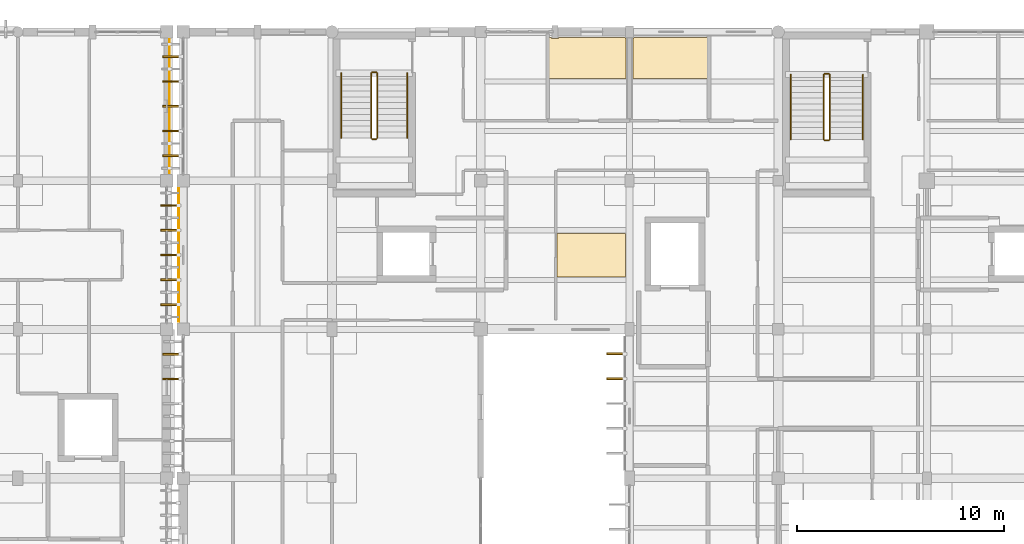
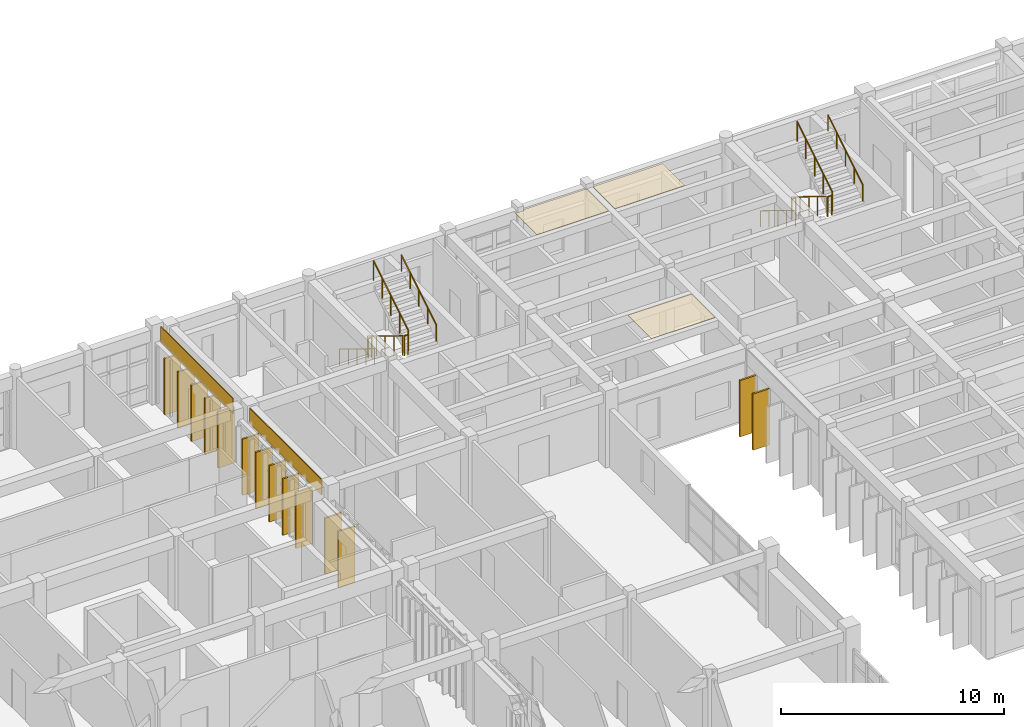
# One storey, part 52 of 55: 14 shading devices, 12 railings, 5 coverings.
"""IFC4 building model written with IfcOpenShell, lengths in metres."""

from ifc_helpers import new_model, si_unit, direction, frame, origin, origin_2d, place, context, subcontext, project, spatial, polyline, rectangle, circle, outline, extrude, material, layer, layer_set, material_profile, profile_set, type_object, element, save


model = new_model("IFC4")

# Units and contexts
model_context = context("Model", 3, precision=1e-05, world=origin(), true_north=direction((0.0, 1.0)))
body_context = subcontext(model_context, "Body", "Model", "MODEL_VIEW")
ifc_project = project(units=[si_unit("LENGTHUNIT", "METRE"), si_unit("AREAUNIT", "SQUARE_METRE"), si_unit("VOLUMEUNIT", "CUBIC_METRE"), si_unit("PLANEANGLEUNIT", "RADIAN"), si_unit("MASSUNIT", "GRAM", prefix="KILO")], contexts=[model_context])

# Site, building, storey
site_placement = place(None, origin())
site = spatial("IfcSite", under=ifc_project, at=site_placement, CompositionType="ELEMENT")
building_placement = place(site_placement, origin())
building = spatial("IfcBuilding", under=site, at=building_placement, Name="Steenspoor Specialist Clinic", CompositionType="ELEMENT")
storey_placement = place(building_placement, frame((0.0, 0.0, 13.199951171875)))
storey = spatial("IfcBuildingStorey", under=building, at=storey_placement, Name="L03", CompositionType="ELEMENT", Elevation=13.199951171875)

# Coverings
ifc_material_1 = material(Name="Washable acoustic mineral ceiling board", Category="gypsum")
ifc_layer_1 = layer(ifc_material_1, 0.02490234375)
ifc_layer_set_1 = layer_set([ifc_layer_1], Name="Washable acoustic mineral ceiling board")
covering_type_1 = type_object("IfcCoveringType", Name="COV-CEIL-ACOUSTIC", PredefinedType="CEILING", material=ifc_layer_set_1)
covering_1_placement = place(storey_placement, frame((0.0, 0.0, 3.925048828125)))
element("IfcCovering", 1, at=covering_1_placement, inside=storey, type_object=covering_type_1, Name="Acoustic Clinical Ceiling 172", PredefinedType="CEILING", context=body_context, shape_type="SweptSolid", body=[
    extrude(outline(polyline([(70.4951171875, 98.60009765625), (73.804931640625, 98.60009765625), (73.804931640625, 96.489990234375), (70.4951171875, 96.489990234375), (70.4951171875, 98.60009765625)])), origin(), (0.0, 0.0, 1.0), 0.02490234375),
])
covering_2_placement = place(storey_placement, frame((0.0, 0.0, 3.925048828125)))
element("IfcCovering", 2, at=covering_2_placement, inside=storey, type_object=covering_type_1, Name="Acoustic Clinical Ceiling 174", PredefinedType="CEILING", context=body_context, shape_type="SweptSolid", body=[
    extrude(outline(polyline([(70.235107421875, 108.090087890625), (70.235107421875, 108.02490234375), (70.56494140625, 108.02490234375), (70.56494140625, 108.090087890625), (73.784912109375, 108.090087890625), (73.784912109375, 108.06005859375), (73.830078125, 108.06005859375), (73.830078125, 106.090087890625), (70.114990234375, 106.090087890625), (70.114990234375, 108.090087890625), (70.235107421875, 108.090087890625)])), origin(), (0.0, 0.0, 1.0), 0.02490234375),
])
covering_3_placement = place(storey_placement, frame((0.0, 0.0, 3.925048828125)))
element("IfcCovering", 3, at=covering_3_placement, inside=storey, type_object=covering_type_1, Name="Acoustic Clinical Ceiling 175", PredefinedType="CEILING", context=body_context, shape_type="SweptSolid", body=[
    extrude(outline(polyline([(77.784912109375, 108.090087890625), (77.784912109375, 106.10009765625), (74.169921875, 106.10009765625), (74.169921875, 108.06005859375), (74.215087890625, 108.06005859375), (74.215087890625, 108.090087890625), (77.784912109375, 108.090087890625)])), origin(), (0.0, 0.0, 1.0), 0.02490234375),
])
ifc_material_2 = material(Name="Glazed ceramic relief spandrel cladding", Category="masonry")
ifc_layer_2 = layer(ifc_material_2, 0.034912109375)
ifc_layer_set_2 = layer_set([ifc_layer_2], Name="Glazed ceramic relief spandrel cladding")
covering_type_2 = type_object("IfcCoveringType", Name="COV-CLAD-CERAMIC", PredefinedType="CLADDING", material=ifc_layer_set_2)
covering_4_placement = place(storey_placement, frame((52.18505859375, 97.550048828125, 3.115234375), z_axis=(0.0, 0.0, 1.0), x_axis=(0.0, 1.0, 0.0)))
element("IfcCovering", 4, at=covering_4_placement, inside=storey, type_object=covering_type_2, Name="Spandrel Cladding 48", PredefinedType="CLADDING", context=body_context, shape_type="SweptSolid", body=[
    extrude(rectangle(XDim=6.47998046875, YDim=0.0400390625, at=origin_2d()), origin(), (0.0, 0.0, 1.0), 0.840087890625),
])
ifc_material_3 = material(Name="Glulam GL28h timber screen louvre cladding", Category="wood")
ifc_layer_3 = layer(ifc_material_3, 0.044921875)
ifc_layer_set_3 = layer_set([ifc_layer_3], Name="Glulam GL28h timber screen louvre cladding")
covering_type_3 = type_object("IfcCoveringType", Name="COV-CLAD-TIMBER", PredefinedType="CLADDING", material=ifc_layer_set_3)
covering_5_placement = place(storey_placement, frame((51.739990234375, 104.75, 3.365234375), z_axis=(0.0, 0.0, 1.0), x_axis=(0.0, -1.0, 0.0)))
element("IfcCovering", 5, at=covering_5_placement, inside=storey, type_object=covering_type_3, Name="Spandrel Cladding 77", PredefinedType="CLADDING", context=body_context, shape_type="SweptSolid", body=[
    extrude(rectangle(XDim=6.47998046875, YDim=0.0400390625, at=origin_2d()), origin(), (0.0, 0.0, 1.0), 0.840087890625),
])

# Railings
ifc_material_4 = material(Name="Painted architectural steel balustrade", Category="steel")
railing_type_1 = type_object("IfcRailingType", Name="RAIL-GUARD-1100", PredefinedType="GUARDRAIL", material=ifc_material_4)
railing_1_placement = place(storey_placement, frame((61.5, 106.35009765625, 0.175048828125)))
element("IfcRailing", 6, at=railing_1_placement, inside=storey, type_object=railing_type_1, Name="L03 ST-V4A stair guard 1", PredefinedType="GUARDRAIL", context=body_context, shape_type="SweptSolid", body=[
    extrude(circle(Radius=0.02392578125, at=origin_2d()), frame((0.0, 0.0, 1.076171875), z_axis=(0.0, -0.852166034122, 0.523271488128), x_axis=(1.0, 0.0, 0.0)), (0.0, 0.0, 1.0), 3.678955078125),
    extrude(circle(Radius=0.02099609375, at=origin_2d()), origin(), (0.0, 0.0, 1.0), 1.052001953125),
    extrude(circle(Radius=0.02099609375, at=origin_2d()), frame((0.0, -0.78369140625, 0.481201171875)), (0.0, 0.0, 1.0), 1.052001953125),
    extrude(circle(Radius=0.02099609375, at=origin_2d()), frame((0.0, -1.5673828125, 0.96240234375)), (0.0, 0.0, 1.0), 1.052001953125),
    extrude(circle(Radius=0.02099609375, at=origin_2d()), frame((0.0, -2.351318359375, 1.44384765625)), (0.0, 0.0, 1.0), 1.052001953125),
    extrude(circle(Radius=0.02099609375, at=origin_2d()), frame((0.0, -3.135009765625, 1.925048828125)), (0.0, 0.0, 1.0), 1.052001953125),
])
railing_2_placement = place(storey_placement, frame((61.550048828125, 103.1650390625, 2.10009765625)))
element("IfcRailing", 7, at=railing_2_placement, inside=storey, type_object=railing_type_1, Name="L03 ST-V4A stair guard 2", PredefinedType="GUARDRAIL", context=body_context, shape_type="SweptSolid", body=[
    extrude(circle(Radius=0.02392578125, at=origin_2d()), frame((0.0, 0.0, 1.076171875), z_axis=(1.0, 0.0, 0.0), x_axis=(0.0, 1.0, 0.0)), (0.0, 0.0, 1.0), 0.199951171875),
    extrude(circle(Radius=0.02099609375, at=origin_2d()), origin(), (0.0, 0.0, 1.0), 1.052001953125),
    extrude(circle(Radius=0.02099609375, at=origin_2d()), frame((0.199951171875, 0.0, 0.0)), (0.0, 0.0, 1.0), 1.052001953125),
])
railing_3_placement = place(storey_placement, frame((61.800048828125, 103.215087890625, 2.275146484375)))
element("IfcRailing", 8, at=railing_3_placement, inside=storey, type_object=railing_type_1, Name="L03 ST-V4A stair guard 3", PredefinedType="GUARDRAIL", context=body_context, shape_type="SweptSolid", body=[
    extrude(circle(Radius=0.02392578125, at=origin_2d()), frame((0.0, 0.0, 1.076171875), z_axis=(0.0, 0.852195625947, 0.523223293744), x_axis=(-1.0, 0.0, 0.0)), (0.0, 0.0, 1.0), 3.6787109375),
    extrude(circle(Radius=0.02099609375, at=origin_2d()), origin(), (0.0, 0.0, 1.0), 1.052001953125),
    extrude(circle(Radius=0.02099609375, at=origin_2d()), frame((0.0, 0.78369140625, 0.481201171875)), (0.0, 0.0, 1.0), 1.052001953125),
    extrude(circle(Radius=0.02099609375, at=origin_2d()), frame((0.0, 1.5673828125, 0.96240234375)), (0.0, 0.0, 1.0), 1.052001953125),
    extrude(circle(Radius=0.02099609375, at=origin_2d()), frame((0.0, 2.351318359375, 1.443603515625)), (0.0, 0.0, 1.0), 1.052001953125),
    extrude(circle(Radius=0.02099609375, at=origin_2d()), frame((0.0, 3.135009765625, 1.9248046875)), (0.0, 0.0, 1.0), 1.052001953125),
])
railing_4_placement = place(storey_placement, frame((61.550048828125, 106.39990234375, 0.0)))
element("IfcRailing", 9, at=railing_4_placement, inside=storey, type_object=railing_type_1, Name="L03 ST-V4A stair guard 4", PredefinedType="GUARDRAIL", context=body_context, shape_type="SweptSolid", body=[
    extrude(circle(Radius=0.02392578125, at=origin_2d()), frame((0.0, 0.0, 1.076171875), z_axis=(1.0, 0.0, 0.0), x_axis=(0.0, 1.0, 0.0)), (0.0, 0.0, 1.0), 0.199951171875),
    extrude(circle(Radius=0.02099609375, at=origin_2d()), origin(), (0.0, 0.0, 1.0), 1.052001953125),
    extrude(circle(Radius=0.02099609375, at=origin_2d()), frame((0.199951171875, 0.0, 0.0)), (0.0, 0.0, 1.0), 1.052001953125),
])
railing_5_placement = place(storey_placement, frame((83.39990234375, 106.280029296875, 0.175048828125)))
element("IfcRailing", 10, at=railing_5_placement, inside=storey, type_object=railing_type_1, Name="L03 ST-V4C stair guard 1", PredefinedType="GUARDRAIL", context=body_context, shape_type="SweptSolid", body=[
    extrude(circle(Radius=0.02392578125, at=origin_2d()), frame((0.0, 0.0, 1.076171875), z_axis=(0.0, -0.852166034122, 0.523271488128), x_axis=(1.0, 0.0, 0.0)), (0.0, 0.0, 1.0), 3.678955078125),
    extrude(circle(Radius=0.02099609375, at=origin_2d()), origin(), (0.0, 0.0, 1.0), 1.052001953125),
    extrude(circle(Radius=0.02099609375, at=origin_2d()), frame((0.0, -0.78369140625, 0.481201171875)), (0.0, 0.0, 1.0), 1.052001953125),
    extrude(circle(Radius=0.02099609375, at=origin_2d()), frame((0.0, -1.5673828125, 0.96240234375)), (0.0, 0.0, 1.0), 1.052001953125),
    extrude(circle(Radius=0.02099609375, at=origin_2d()), frame((0.0, -2.351318359375, 1.44384765625)), (0.0, 0.0, 1.0), 1.052001953125),
    extrude(circle(Radius=0.02099609375, at=origin_2d()), frame((0.0, -3.135009765625, 1.925048828125)), (0.0, 0.0, 1.0), 1.052001953125),
])
railing_6_placement = place(storey_placement, frame((83.449951171875, 103.094970703125, 2.10009765625)))
element("IfcRailing", 11, at=railing_6_placement, inside=storey, type_object=railing_type_1, Name="L03 ST-V4C stair guard 2", PredefinedType="GUARDRAIL", context=body_context, shape_type="SweptSolid", body=[
    extrude(circle(Radius=0.02392578125, at=origin_2d()), frame((0.0, 0.0, 1.076171875), z_axis=(1.0, 0.0, 0.0), x_axis=(0.0, 1.0, 0.0)), (0.0, 0.0, 1.0), 0.199951171875),
    extrude(circle(Radius=0.02099609375, at=origin_2d()), origin(), (0.0, 0.0, 1.0), 1.052001953125),
    extrude(circle(Radius=0.02099609375, at=origin_2d()), frame((0.199951171875, 0.0, 0.0)), (0.0, 0.0, 1.0), 1.052001953125),
])
railing_7_placement = place(storey_placement, frame((83.699951171875, 103.14501953125, 2.275146484375)))
element("IfcRailing", 12, at=railing_7_placement, inside=storey, type_object=railing_type_1, Name="L03 ST-V4C stair guard 3", PredefinedType="GUARDRAIL", context=body_context, shape_type="SweptSolid", body=[
    extrude(circle(Radius=0.02392578125, at=origin_2d()), frame((0.0, 0.0, 1.076171875), z_axis=(0.0, 0.852195625947, 0.523223293744), x_axis=(-1.0, 0.0, 0.0)), (0.0, 0.0, 1.0), 3.6787109375),
    extrude(circle(Radius=0.02099609375, at=origin_2d()), origin(), (0.0, 0.0, 1.0), 1.052001953125),
    extrude(circle(Radius=0.02099609375, at=origin_2d()), frame((0.0, 0.78369140625, 0.481201171875)), (0.0, 0.0, 1.0), 1.052001953125),
    extrude(circle(Radius=0.02099609375, at=origin_2d()), frame((0.0, 1.5673828125, 0.96240234375)), (0.0, 0.0, 1.0), 1.052001953125),
    extrude(circle(Radius=0.02099609375, at=origin_2d()), frame((0.0, 2.351318359375, 1.443603515625)), (0.0, 0.0, 1.0), 1.052001953125),
    extrude(circle(Radius=0.02099609375, at=origin_2d()), frame((0.0, 3.135009765625, 1.9248046875)), (0.0, 0.0, 1.0), 1.052001953125),
])
railing_8_placement = place(storey_placement, frame((83.449951171875, 106.330078125, 0.0)))
element("IfcRailing", 13, at=railing_8_placement, inside=storey, type_object=railing_type_1, Name="L03 ST-V4C stair guard 4", PredefinedType="GUARDRAIL", context=body_context, shape_type="SweptSolid", body=[
    extrude(circle(Radius=0.02392578125, at=origin_2d()), frame((0.0, 0.0, 1.076171875), z_axis=(1.0, 0.0, 0.0), x_axis=(0.0, 1.0, 0.0)), (0.0, 0.0, 1.0), 0.199951171875),
    extrude(circle(Radius=0.02099609375, at=origin_2d()), origin(), (0.0, 0.0, 1.0), 1.052001953125),
    extrude(circle(Radius=0.02099609375, at=origin_2d()), frame((0.199951171875, 0.0, 0.0)), (0.0, 0.0, 1.0), 1.052001953125),
])
ifc_material_5 = material(Name="Brushed stainless steel clinical handrail", Category="steel")
railing_type_2 = type_object("IfcRailingType", Name="RAIL-HAND-900", PredefinedType="HANDRAIL", material=ifc_material_5)
railing_9_placement = place(storey_placement, frame((60.050048828125, 106.35009765625, 0.175048828125)))
element("IfcRailing", 14, at=railing_9_placement, inside=storey, type_object=railing_type_2, Name="L03 ST-V4A stair handrail 1", PredefinedType="HANDRAIL", context=body_context, shape_type="SweptSolid", body=[
    extrude(circle(Radius=0.02392578125, at=origin_2d()), frame((0.0, 0.0, 0.8759765625), z_axis=(0.0, -0.852166034122, 0.523271488128), x_axis=(1.0, 0.0, 0.0)), (0.0, 0.0, 1.0), 3.678955078125),
    extrude(circle(Radius=0.02099609375, at=origin_2d()), origin(), (0.0, 0.0, 1.0), 0.851806640625),
    extrude(circle(Radius=0.02099609375, at=origin_2d()), frame((0.0, -0.78369140625, 0.481201171875)), (0.0, 0.0, 1.0), 0.851806640625),
    extrude(circle(Radius=0.02099609375, at=origin_2d()), frame((0.0, -1.5673828125, 0.96240234375)), (0.0, 0.0, 1.0), 0.851806640625),
    extrude(circle(Radius=0.02099609375, at=origin_2d()), frame((0.0, -2.351318359375, 1.44384765625)), (0.0, 0.0, 1.0), 0.851806640625),
    extrude(circle(Radius=0.02099609375, at=origin_2d()), frame((0.0, -3.135009765625, 1.925048828125)), (0.0, 0.0, 1.0), 0.851806640625),
])
railing_10_placement = place(storey_placement, frame((63.25, 103.215087890625, 2.275146484375)))
element("IfcRailing", 15, at=railing_10_placement, inside=storey, type_object=railing_type_2, Name="L03 ST-V4A stair handrail 2", PredefinedType="HANDRAIL", context=body_context, shape_type="SweptSolid", body=[
    extrude(circle(Radius=0.02392578125, at=origin_2d()), frame((0.0, 0.0, 0.8759765625), z_axis=(0.0, 0.852195625947, 0.523223293744), x_axis=(-1.0, 0.0, 0.0)), (0.0, 0.0, 1.0), 3.6787109375),
    extrude(circle(Radius=0.02099609375, at=origin_2d()), origin(), (0.0, 0.0, 1.0), 0.851806640625),
    extrude(circle(Radius=0.02099609375, at=origin_2d()), frame((0.0, 0.78369140625, 0.481201171875)), (0.0, 0.0, 1.0), 0.851806640625),
    extrude(circle(Radius=0.02099609375, at=origin_2d()), frame((0.0, 1.5673828125, 0.96240234375)), (0.0, 0.0, 1.0), 0.851806640625),
    extrude(circle(Radius=0.02099609375, at=origin_2d()), frame((0.0, 2.351318359375, 1.443603515625)), (0.0, 0.0, 1.0), 0.851806640625),
    extrude(circle(Radius=0.02099609375, at=origin_2d()), frame((0.0, 3.135009765625, 1.9248046875)), (0.0, 0.0, 1.0), 0.851806640625),
])
railing_11_placement = place(storey_placement, frame((81.800048828125, 106.280029296875, 0.175048828125)))
element("IfcRailing", 16, at=railing_11_placement, inside=storey, type_object=railing_type_2, Name="L03 ST-V4C stair handrail 1", PredefinedType="HANDRAIL", context=body_context, shape_type="SweptSolid", body=[
    extrude(circle(Radius=0.02392578125, at=origin_2d()), frame((0.0, 0.0, 0.8759765625), z_axis=(0.0, -0.852166034122, 0.523271488128), x_axis=(1.0, 0.0, 0.0)), (0.0, 0.0, 1.0), 3.678955078125),
    extrude(circle(Radius=0.02099609375, at=origin_2d()), origin(), (0.0, 0.0, 1.0), 0.851806640625),
    extrude(circle(Radius=0.02099609375, at=origin_2d()), frame((0.0, -0.78369140625, 0.481201171875)), (0.0, 0.0, 1.0), 0.851806640625),
    extrude(circle(Radius=0.02099609375, at=origin_2d()), frame((0.0, -1.5673828125, 0.96240234375)), (0.0, 0.0, 1.0), 0.851806640625),
    extrude(circle(Radius=0.02099609375, at=origin_2d()), frame((0.0, -2.351318359375, 1.44384765625)), (0.0, 0.0, 1.0), 0.851806640625),
    extrude(circle(Radius=0.02099609375, at=origin_2d()), frame((0.0, -3.135009765625, 1.925048828125)), (0.0, 0.0, 1.0), 0.851806640625),
])
railing_12_placement = place(storey_placement, frame((85.300048828125, 103.14501953125, 2.275146484375)))
element("IfcRailing", 17, at=railing_12_placement, inside=storey, type_object=railing_type_2, Name="L03 ST-V4C stair handrail 2", PredefinedType="HANDRAIL", context=body_context, shape_type="SweptSolid", body=[
    extrude(circle(Radius=0.02392578125, at=origin_2d()), frame((0.0, 0.0, 0.8759765625), z_axis=(0.0, 0.852195625947, 0.523223293744), x_axis=(-1.0, 0.0, 0.0)), (0.0, 0.0, 1.0), 3.6787109375),
    extrude(circle(Radius=0.02099609375, at=origin_2d()), origin(), (0.0, 0.0, 1.0), 0.851806640625),
    extrude(circle(Radius=0.02099609375, at=origin_2d()), frame((0.0, 0.78369140625, 0.481201171875)), (0.0, 0.0, 1.0), 0.851806640625),
    extrude(circle(Radius=0.02099609375, at=origin_2d()), frame((0.0, 1.5673828125, 0.96240234375)), (0.0, 0.0, 1.0), 0.851806640625),
    extrude(circle(Radius=0.02099609375, at=origin_2d()), frame((0.0, 2.351318359375, 1.443603515625)), (0.0, 0.0, 1.0), 0.851806640625),
    extrude(circle(Radius=0.02099609375, at=origin_2d()), frame((0.0, 3.135009765625, 1.9248046875)), (0.0, 0.0, 1.0), 0.851806640625),
])

# Shading devices
ifc_material_6 = material(Name="Glulam GL28h", Category="wood")
ifc_material_profile = material_profile(ifc_material_6, rectangle(XDim=0.090087890625, YDim=0.85009765625, at=origin_2d()), Name="GL28H-90X850")
ifc_profile_set = profile_set([ifc_material_profile], Name="Glulam GL28h")
shading_device_type = type_object("IfcShadingDeviceType", Name="SHADE-FIN-850", PredefinedType="JALOUSIE", material=ifc_profile_set)
for number, where, z_axis, x_axis, name in (
    (18, (51.72998046875, 95.14990234375, 0.0), (0.0, 0.0, 1.0), (0.0, 1.0, 0.0), "Glulam Sun Fin FIN-V4-L03-0081"),
    (19, (51.72998046875, 96.35009765625, 0.0), (0.0, 0.0, 1.0), (0.0, 1.0, 0.0), "Glulam Sun Fin FIN-V4-L03-0082"),
    (20, (51.72998046875, 97.550048828125, 0.0), (0.0, 0.0, 1.0), (0.0, 1.0, 0.0), "Glulam Sun Fin FIN-V4-L03-0083"),
    (21, (51.72998046875, 98.75, 0.0), (0.0, 0.0, 1.0), (0.0, 1.0, 0.0), "Glulam Sun Fin FIN-V4-L03-0084"),
    (22, (51.72998046875, 99.949951171875, 0.0), (0.0, 0.0, 1.0), (0.0, 1.0, 0.0), "Glulam Sun Fin FIN-V4-L03-0085"),
    (23, (51.844970703125, 102.35009765625, 0.0), (0.0, 0.0, 1.0), (0.0, 1.0, 0.0), "Glulam Sun Fin FIN-V4-L03-0086"),
    (24, (51.844970703125, 103.550048828125, 0.0), (0.0, 0.0, 1.0), (0.0, 1.0, 0.0), "Glulam Sun Fin FIN-V4-L03-0087"),
    (25, (51.844970703125, 104.75, 0.0), (0.0, 0.0, 1.0), (0.0, 1.0, 0.0), "Glulam Sun Fin FIN-V4-L03-0088"),
    (26, (51.844970703125, 105.949951171875, 0.0), (0.0, 0.0, 1.0), (0.0, 1.0, 0.0), "Glulam Sun Fin FIN-V4-L03-0089"),
    (27, (51.844970703125, 107.14990234375, 0.0), (0.0, 0.0, 1.0), (0.0, 1.0, 0.0), "Glulam Sun Fin FIN-V4-L03-0090"),
    (28, (73.330078125, 91.5625, 0.0), (0.0, 0.0, 1.0), (0.0, 1.0, 0.0), "Glulam Sun Fin FIN-V4-L03-0121"),
    (29, (73.330078125, 92.762451171875, 0.0), (0.0, 0.0, 1.0), (0.0, 1.0, 0.0), "Glulam Sun Fin FIN-V4-L03-0122"),
    (30, (51.844970703125, 91.550048828125, 0.0), (0.0, 0.0, 1.0), (0.0, 1.0, 0.0), "Glulam Sun Fin FIN-V4-L03-0138"),
    (31, (51.844970703125, 92.75, 0.0), (0.0, 0.0, 1.0), (0.0, 1.0, 0.0), "Glulam Sun Fin FIN-V4-L03-0139"),
):
    element("IfcShadingDevice", number, at=place(storey_placement, frame(where, z_axis=z_axis, x_axis=x_axis)), inside=storey, type_object=shading_device_type, Name=name, PredefinedType="JALOUSIE", context=body_context, shape_type="SweptSolid", body=[
        extrude(rectangle(XDim=0.090087890625, YDim=0.85009765625, at=origin_2d()), origin(), (0.0, 0.0, 1.0), 3.080078125),
    ])

save(model, "model.ifc")
